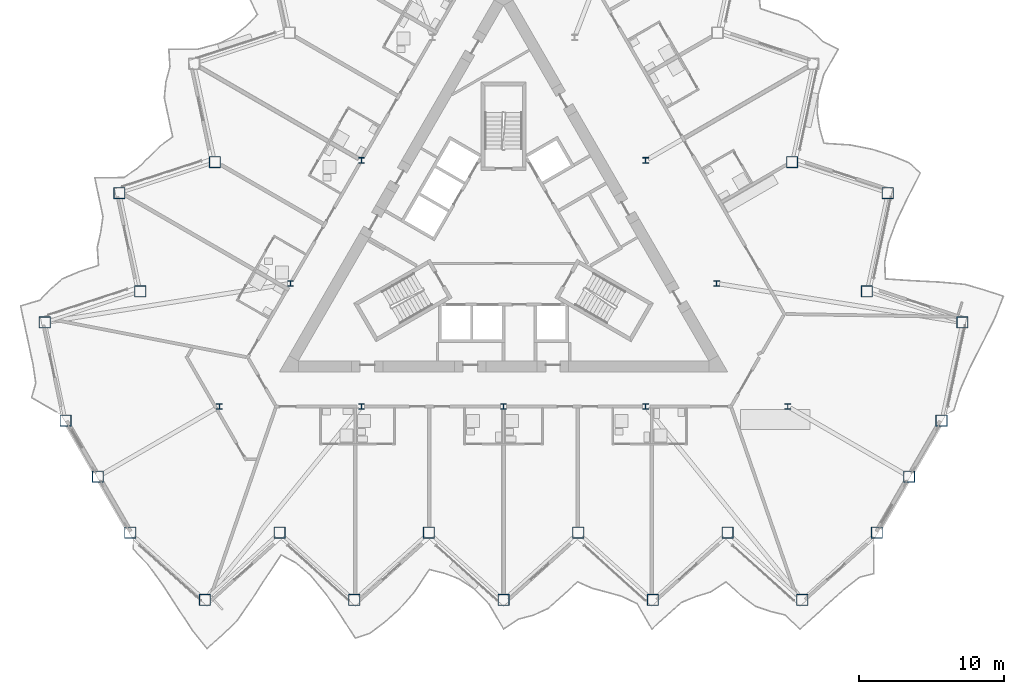
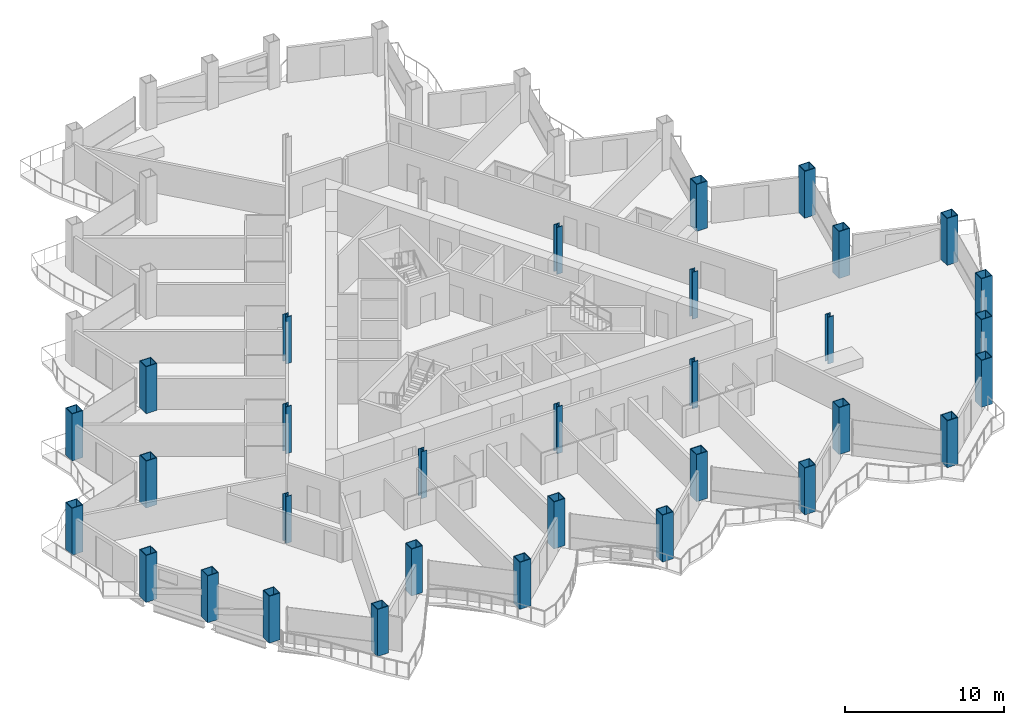
# One storey, part 1 of 23: 32 columns.
"""IFC4 building model written with IfcOpenShell, lengths in metres."""

from ifc_helpers import new_model, si_unit, direction, frame, origin, origin_2d, place, context, subcontext, project, spatial, hollow_rectangle, i_section, extrude, material, material_profile, profile_set, type_object, element, save


model = new_model("IFC4")

# Units and contexts
model_context = context("Model", 3, precision=1e-05, world=origin(), true_north=direction((0.0, 1.0)))
body_context = subcontext(model_context, "Body", "Model", "MODEL_VIEW")
ifc_project = project(units=[si_unit("LENGTHUNIT", "METRE"), si_unit("AREAUNIT", "SQUARE_METRE"), si_unit("VOLUMEUNIT", "CUBIC_METRE"), si_unit("PLANEANGLEUNIT", "RADIAN"), si_unit("MASSUNIT", "GRAM", prefix="KILO")], contexts=[model_context])

# Site, building, storey
site_placement = place(None, origin())
site = spatial("IfcSite", under=ifc_project, at=site_placement, CompositionType="ELEMENT")
building_placement = place(site_placement, origin())
building = spatial("IfcBuilding", under=site, at=building_placement, Name="Cormorant Prow Tower", CompositionType="ELEMENT")
storey_placement = place(building_placement, frame((0.0, 0.0, 187.199951171875)))
storey = spatial("IfcBuildingStorey", under=building, at=storey_placement, Name="L40", CompositionType="ELEMENT", Elevation=187.199951171875)

# Columns
ifc_material_1 = material(Name="Structural steel ASTM A572 Gr 50", Category="steel")
ifc_material_profile_1 = material_profile(ifc_material_1, hollow_rectangle(XDim=0.800048828125, YDim=0.800048828125, WallThickness=0.050048828125, at=origin_2d()), Name="Box 800x800x50")
ifc_profile_set_1 = profile_set([ifc_material_profile_1], Name="Structural steel ASTM A572 Gr 50")
column_type_1 = type_object("IfcColumnType", Name="Perimeter box column 800x800x50", PredefinedType="COLUMN", material=ifc_profile_set_1)
for number, where, z_axis, x_axis, name in (
    (1, (-25.823486328125, -20.0712890625, 0.0), (0.0, 0.0, 1.0), (1.0, 0.0, 0.0), "Perimeter column C4 at S00 L40"),
    (2, (-20.658935546875, -24.7216796875, 0.0), (0.0, 0.0, 1.0), (1.0, 0.0, 0.0), "Perimeter column C4 at S01 L40"),
    (3, (-15.494140625, -20.0712890625, 0.0), (0.0, 0.0, 1.0), (1.0, 0.0, 0.0), "Perimeter column C4 at S02 L40"),
    (4, (-10.329345703125, -24.7216796875, 0.0), (0.0, 0.0, 1.0), (1.0, 0.0, 0.0), "Perimeter column C4 at S03 L40"),
    (5, (-5.164794921875, -20.0712890625, 0.0), (0.0, 0.0, 1.0), (1.0, 0.0, 0.0), "Perimeter column C4 at S04 L40"),
    (6, (0.0, -24.7216796875, 0.0), (0.0, 0.0, 1.0), (1.0, 0.0, 0.0), "Perimeter column C4 at S05 L40"),
    (7, (5.164794921875, -20.0712890625, 0.0), (0.0, 0.0, 1.0), (1.0, 0.0, 0.0), "Perimeter column C4 at S06 L40"),
    (8, (10.329345703125, -24.7216796875, 0.0), (0.0, 0.0, 1.0), (1.0, 0.0, 0.0), "Perimeter column C4 at S07 L40"),
    (9, (15.494140625, -20.0712890625, 0.0), (0.0, 0.0, 1.0), (1.0, 0.0, 0.0), "Perimeter column C4 at S08 L40"),
    (10, (20.658935546875, -24.7216796875, 0.0), (0.0, 0.0, 1.0), (1.0, 0.0, 0.0), "Perimeter column C4 at S09 L40"),
    (11, (25.823486328125, -20.0712890625, 0.0), (0.0, 0.0, 1.0), (1.0, 0.0, 0.0), "Perimeter column C4 at ESE00 L40"),
    (12, (28.058837890625, -16.19970703125, 0.0), (0.0, 0.0, 1.0), (1.0, 0.0, 0.0), "Perimeter column C4 at ESE01 L40"),
    (13, (30.2939453125, -12.328369140625, 0.0), (0.0, 0.0, 1.0), (1.0, 0.0, 0.0), "Perimeter column C4 at ENE00 L40"),
    (14, (31.739013671875, -5.5302734375, 0.0), (0.0, 0.0, 1.0), (1.0, 0.0, 0.0), "Perimeter column C4 at ENE01 L40"),
    (15, (25.12939453125, -3.3828125, 0.0), (0.0, 0.0, 1.0), (1.0, 0.0, 0.0), "Perimeter column C4 at ENE02 L40"),
    (16, (26.57421875, 3.415283203125, 0.0), (0.0, 0.0, 1.0), (1.0, 0.0, 0.0), "Perimeter column C4 at ENE03 L40"),
    (17, (19.964599609375, 5.562744140625, 0.0), (0.0, 0.0, 1.0), (1.0, 0.0, 0.0), "Perimeter column C4 at ENE04 L40"),
    (18, (-19.964599609375, 5.562744140625, 0.0), (0.0, 0.0, 1.0), (1.0, 0.0, 0.0), "Perimeter column C4 at WNW06 L40"),
    (19, (-26.57421875, 3.415283203125, 0.0), (0.0, 0.0, 1.0), (1.0, 0.0, 0.0), "Perimeter column C4 at WNW07 L40"),
    (20, (-25.12939453125, -3.3828125, 0.0), (0.0, 0.0, 1.0), (1.0, 0.0, 0.0), "Perimeter column C4 at WNW08 L40"),
    (21, (-31.739013671875, -5.5302734375, 0.0), (0.0, 0.0, 1.0), (1.0, 0.0, 0.0), "Perimeter column C4 at WNW09 L40"),
    (22, (-30.2939453125, -12.328369140625, 0.0), (0.0, 0.0, 1.0), (1.0, 0.0, 0.0), "Perimeter column C4 at WSW00 L40"),
    (23, (-28.058837890625, -16.19970703125, 0.0), (0.0, 0.0, 1.0), (1.0, 0.0, 0.0), "Perimeter column C4 at WSW01 L40"),
):
    element("IfcColumn", number, at=place(storey_placement, frame(where, z_axis=z_axis, x_axis=x_axis)), inside=storey, type_object=column_type_1, Name=name, PredefinedType="COLUMN", context=body_context, shape_type="SweptSolid", body=[
        extrude(hollow_rectangle(XDim=0.800048828125, YDim=0.800048828125, WallThickness=0.050048828125, at=origin_2d()), origin(), (0.0, 0.0, 1.0), 3.60009765625),
    ])
ifc_material_2 = material(Name="Structural steel ASTM A992 Gr 50", Category="steel")
ifc_material_profile_2 = material_profile(ifc_material_2, i_section(OverallWidth=0.403564453125, OverallDepth=0.407470703125, WebThickness=0.027099609375, FlangeThickness=0.043701171875, at=origin_2d()), Name="W14x233")
ifc_profile_set_2 = profile_set([ifc_material_profile_2], Name="Structural steel ASTM A992 Gr 50")
column_type_2 = type_object("IfcColumnType", Name="Ring column W14x233", PredefinedType="COLUMN", material=ifc_profile_set_2)
for number, where, z_axis, x_axis, name in (
    (24, (-9.828369140625, 5.674560546875, 0.0), (0.0, 0.0, 1.0), (1.0, 0.0, 0.0), "Ring column 3 L40"),
    (25, (-14.74267578125, -2.837158203125, 0.0), (0.0, 0.0, 1.0), (1.0, 0.0, 0.0), "Ring column 4 L40"),
    (26, (-19.656982421875, -11.348876953125, 0.0), (0.0, 0.0, 1.0), (1.0, 0.0, 0.0), "Ring column 5 L40"),
    (27, (-9.828369140625, -11.348876953125, 0.0), (0.0, 0.0, 1.0), (1.0, 0.0, 0.0), "Ring column 6 L40"),
    (28, (0.0, -11.348876953125, 0.0), (0.0, 0.0, 1.0), (1.0, 0.0, 0.0), "Ring column 7 L40"),
    (29, (9.828369140625, -11.348876953125, 0.0), (0.0, 0.0, 1.0), (1.0, 0.0, 0.0), "Ring column 8 L40"),
    (30, (19.656982421875, -11.348876953125, 0.0), (0.0, 0.0, 1.0), (1.0, 0.0, 0.0), "Ring column 9 L40"),
    (31, (14.74267578125, -2.837158203125, 0.0), (0.0, 0.0, 1.0), (1.0, 0.0, 0.0), "Ring column 10 L40"),
    (32, (9.828369140625, 5.674560546875, 0.0), (0.0, 0.0, 1.0), (1.0, 0.0, 0.0), "Ring column 11 L40"),
):
    element("IfcColumn", number, at=place(storey_placement, frame(where, z_axis=z_axis, x_axis=x_axis)), inside=storey, type_object=column_type_2, Name=name, PredefinedType="COLUMN", context=body_context, shape_type="SweptSolid", body=[
        extrude(i_section(OverallWidth=0.403564453125, OverallDepth=0.407470703125, WebThickness=0.027099609375, FlangeThickness=0.043701171875, at=origin_2d()), origin(), (0.0, 0.0, 1.0), 3.60009765625),
    ])

save(model, "model.ifc")
